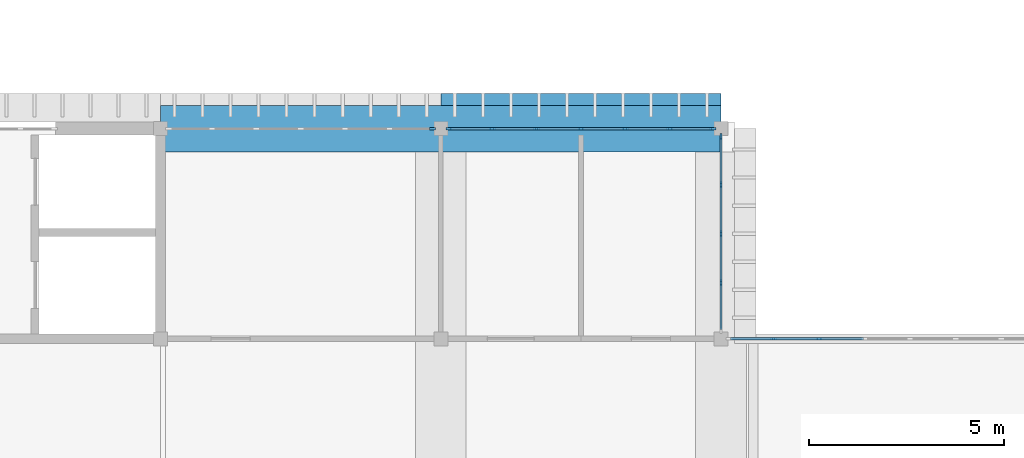
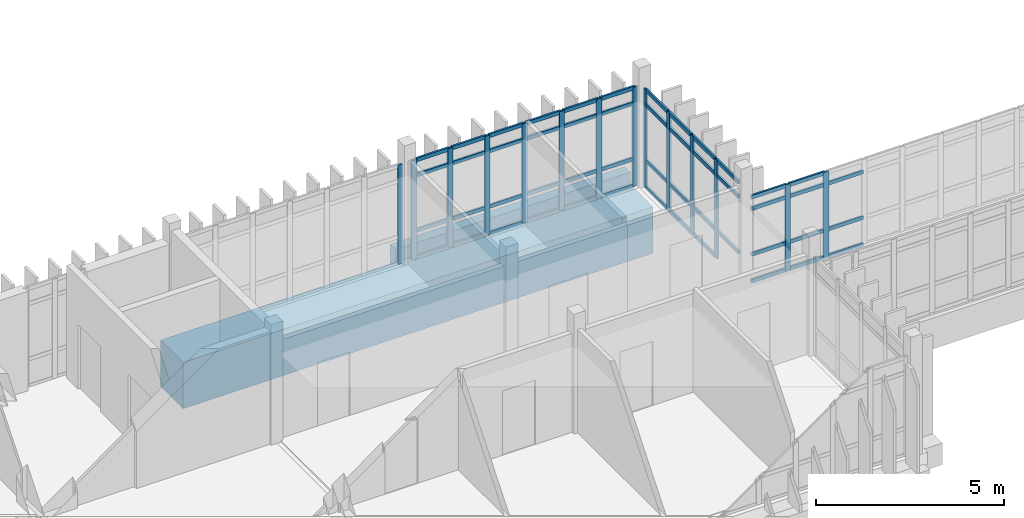
# One storey, part 14 of 69: 65 members, 1 beam, 4 elements without a shape of their own.
"""IFC4 building model written with IfcOpenShell, lengths in metres."""

from ifc_helpers import new_model, si_unit, direction, frame, origin, origin_2d, place, context, subcontext, project, spatial, rectangle, extrude, material, layer, layer_set, material_profile, profile_set, type_object, element, aggregate, save


model = new_model("IFC4")

# Units and contexts
model_context = context("Model", 3, precision=1e-05, world=origin(), true_north=direction((0.0, 1.0)))
body_context = subcontext(model_context, "Body", "Model", "MODEL_VIEW")
ifc_project = project(units=[si_unit("LENGTHUNIT", "METRE"), si_unit("AREAUNIT", "SQUARE_METRE"), si_unit("VOLUMEUNIT", "CUBIC_METRE"), si_unit("PLANEANGLEUNIT", "RADIAN"), si_unit("MASSUNIT", "GRAM", prefix="KILO")], contexts=[model_context])

# Site, building, storey
site_placement = place(None, origin())
site = spatial("IfcSite", under=ifc_project, at=site_placement, CompositionType="ELEMENT")
building_placement = place(site_placement, origin())
building = spatial("IfcBuilding", under=site, at=building_placement, Name="Mazhai Court Health Centre", CompositionType="ELEMENT")
storey_placement = place(building_placement, frame((0.0, 0.0, 6.300048828125)))
storey = spatial("IfcBuildingStorey", under=building, at=storey_placement, Name="L01", CompositionType="ELEMENT", Elevation=6.300048828125)

# Curtain wall, member
ifc_material_1 = material(Name="Teak timber frame, glazed", Category="wood")
ifc_layer = layer(ifc_material_1, 0.10009765625)
ifc_layer_set = layer_set([ifc_layer], Name="CURTAIN WALL TIMBER 1200")
curtain_wall_type = type_object("IfcCurtainWallType", Name="CURTAIN WALL TIMBER 1200", PredefinedType="NOTDEFINED", material=ifc_layer_set)
curtain_wall_1_placement = place(storey_placement, origin())
curtain_wall_1 = element("IfcCurtainWall", 1, at=curtain_wall_1_placement, inside=storey, type_object=curtain_wall_type, Name="CW-V4-L01-B1", PredefinedType="NOTDEFINED")
ifc_material_2 = material(Name="Teak timber", Category="wood")
ifc_material_profile_1 = material_profile(ifc_material_2, rectangle(XDim=0.06005859375, YDim=0.159912109375, at=origin_2d()), Name="CW MULLION 60x160")
ifc_profile_set_1 = profile_set([ifc_material_profile_1], Name="Teak timber")
member_type_1 = type_object("IfcMemberType", Name="CW MULLION 60x160", PredefinedType="MULLION", material=ifc_profile_set_1)
member_1_placement = place(storey_placement, frame((85.18994140625, 27.800048828125, 0.0), z_axis=(0.0, 0.0, 1.0), x_axis=(0.0, 1.0, 0.0)))
member_1 = element("IfcMember", 2, at=member_1_placement, type_object=member_type_1, Name="CW mullion 7", PredefinedType="MULLION", context=body_context, shape_type="SweptSolid", body=[
    extrude(rectangle(XDim=0.06005859375, YDim=0.159912109375, at=origin_2d()), origin(), (0.0, 0.0, 1.0), 3.219970703125),
])
aggregate(curtain_wall_1, [member_1])

# Curtain wall, members
curtain_wall_2_placement = place(storey_placement, origin())
curtain_wall_2 = element("IfcCurtainWall", 3, at=curtain_wall_2_placement, inside=storey, type_object=curtain_wall_type, Name="CW-V4-L01-B2", PredefinedType="NOTDEFINED")
member_2_placement = place(storey_placement, frame((85.610107421875, 27.800048828125, 0.0), z_axis=(0.0, 0.0, 1.0), x_axis=(0.0, 1.0, 0.0)))
member_2 = element("IfcMember", 4, at=member_2_placement, type_object=member_type_1, Name="CW mullion 1", PredefinedType="MULLION", context=body_context, shape_type="SweptSolid", body=[
    extrude(rectangle(XDim=0.06005859375, YDim=0.159912109375, at=origin_2d()), origin(), (0.0, 0.0, 1.0), 3.219970703125),
])
member_3_placement = place(storey_placement, frame((86.719970703125, 27.800048828125, 0.0), z_axis=(0.0, 0.0, 1.0), x_axis=(0.0, 1.0, 0.0)))
member_3 = element("IfcMember", 5, at=member_3_placement, type_object=member_type_1, Name="CW mullion 2", PredefinedType="MULLION", context=body_context, shape_type="SweptSolid", body=[
    extrude(rectangle(XDim=0.06005859375, YDim=0.159912109375, at=origin_2d()), origin(), (0.0, 0.0, 1.0), 3.219970703125),
])
member_4_placement = place(storey_placement, frame((87.860107421875, 27.800048828125, 0.0), z_axis=(0.0, 0.0, 1.0), x_axis=(0.0, 1.0, 0.0)))
member_4 = element("IfcMember", 6, at=member_4_placement, type_object=member_type_1, Name="CW mullion 3", PredefinedType="MULLION", context=body_context, shape_type="SweptSolid", body=[
    extrude(rectangle(XDim=0.06005859375, YDim=0.159912109375, at=origin_2d()), origin(), (0.0, 0.0, 1.0), 3.219970703125),
])
member_5_placement = place(storey_placement, frame((89.0, 27.800048828125, 0.0), z_axis=(0.0, 0.0, 1.0), x_axis=(0.0, 1.0, 0.0)))
member_5 = element("IfcMember", 7, at=member_5_placement, type_object=member_type_1, Name="CW mullion 4", PredefinedType="MULLION", context=body_context, shape_type="SweptSolid", body=[
    extrude(rectangle(XDim=0.06005859375, YDim=0.159912109375, at=origin_2d()), origin(), (0.0, 0.0, 1.0), 3.219970703125),
])
member_6_placement = place(storey_placement, frame((90.139892578125, 27.800048828125, 0.0), z_axis=(0.0, 0.0, 1.0), x_axis=(0.0, 1.0, 0.0)))
member_6 = element("IfcMember", 8, at=member_6_placement, type_object=member_type_1, Name="CW mullion 5", PredefinedType="MULLION", context=body_context, shape_type="SweptSolid", body=[
    extrude(rectangle(XDim=0.06005859375, YDim=0.159912109375, at=origin_2d()), origin(), (0.0, 0.0, 1.0), 3.219970703125),
])
member_7_placement = place(storey_placement, frame((91.280029296875, 27.800048828125, 0.0), z_axis=(0.0, 0.0, 1.0), x_axis=(0.0, 1.0, 0.0)))
member_7 = element("IfcMember", 9, at=member_7_placement, type_object=member_type_1, Name="CW mullion 6", PredefinedType="MULLION", context=body_context, shape_type="SweptSolid", body=[
    extrude(rectangle(XDim=0.06005859375, YDim=0.159912109375, at=origin_2d()), origin(), (0.0, 0.0, 1.0), 3.219970703125),
])
member_8_placement = place(storey_placement, frame((92.389892578125, 27.800048828125, 0.0), z_axis=(0.0, 0.0, 1.0), x_axis=(0.0, 1.0, 0.0)))
member_8 = element("IfcMember", 10, at=member_8_placement, type_object=member_type_1, Name="CW mullion 7", PredefinedType="MULLION", context=body_context, shape_type="SweptSolid", body=[
    extrude(rectangle(XDim=0.06005859375, YDim=0.159912109375, at=origin_2d()), origin(), (0.0, 0.0, 1.0), 3.219970703125),
])

curtain_wall_3_placement = place(storey_placement, origin())
curtain_wall_3 = element("IfcCurtainWall", 11, at=curtain_wall_3_placement, inside=storey, type_object=curtain_wall_type, Name="CW-V4-L01-CE2-1", PredefinedType="NOTDEFINED")
member_9_placement = place(storey_placement, frame((92.60009765625, 27.590087890625, 0.0), z_axis=(0.0, 0.0, 1.0), x_axis=(1.0, 0.0, 0.0)))
member_9 = element("IfcMember", 12, at=member_9_placement, type_object=member_type_1, Name="CW mullion 1", PredefinedType="MULLION", context=body_context, shape_type="SweptSolid", body=[
    extrude(rectangle(XDim=0.06005859375, YDim=0.159912109375, at=origin_2d()), origin(), (0.0, 0.0, 1.0), 3.199951171875),
])
member_10_placement = place(storey_placement, frame((92.60009765625, 26.360107421875, 0.0), z_axis=(0.0, 0.0, 1.0), x_axis=(1.0, 0.0, 0.0)))
member_10 = element("IfcMember", 13, at=member_10_placement, type_object=member_type_1, Name="CW mullion 2", PredefinedType="MULLION", context=body_context, shape_type="SweptSolid", body=[
    extrude(rectangle(XDim=0.06005859375, YDim=0.159912109375, at=origin_2d()), origin(), (0.0, 0.0, 1.0), 3.199951171875),
])
member_11_placement = place(storey_placement, frame((92.60009765625, 25.10009765625, 0.0), z_axis=(0.0, 0.0, 1.0), x_axis=(1.0, 0.0, 0.0)))
member_11 = element("IfcMember", 14, at=member_11_placement, type_object=member_type_1, Name="CW mullion 3", PredefinedType="MULLION", context=body_context, shape_type="SweptSolid", body=[
    extrude(rectangle(XDim=0.06005859375, YDim=0.159912109375, at=origin_2d()), origin(), (0.0, 0.0, 1.0), 3.199951171875),
])
member_12_placement = place(storey_placement, frame((92.60009765625, 23.840087890625, 0.0), z_axis=(0.0, 0.0, 1.0), x_axis=(1.0, 0.0, 0.0)))
member_12 = element("IfcMember", 15, at=member_12_placement, type_object=member_type_1, Name="CW mullion 4", PredefinedType="MULLION", context=body_context, shape_type="SweptSolid", body=[
    extrude(rectangle(XDim=0.06005859375, YDim=0.159912109375, at=origin_2d()), origin(), (0.0, 0.0, 1.0), 3.199951171875),
])

curtain_wall_4_placement = place(storey_placement, origin())
curtain_wall_4 = element("IfcCurtainWall", 16, at=curtain_wall_4_placement, inside=storey, type_object=curtain_wall_type, Name="CW-BR-LC1-N", PredefinedType="NOTDEFINED")
member_13_placement = place(storey_placement, frame((93.949951171875, 22.39990234375, 0.0), z_axis=(0.0, 0.0, 1.0), x_axis=(0.0, 1.0, 0.0)))
member_13 = element("IfcMember", 17, at=member_13_placement, type_object=member_type_1, Name="CW mullion 2", PredefinedType="MULLION", context=body_context, shape_type="SweptSolid", body=[
    extrude(rectangle(XDim=0.06005859375, YDim=0.159912109375, at=origin_2d()), origin(), (0.0, 0.0, 1.0), 2.780029296875),
])
member_14_placement = place(storey_placement, frame((95.1201171875, 22.39990234375, 0.0), z_axis=(0.0, 0.0, 1.0), x_axis=(0.0, 1.0, 0.0)))
member_14 = element("IfcMember", 18, at=member_14_placement, type_object=member_type_1, Name="CW mullion 3", PredefinedType="MULLION", context=body_context, shape_type="SweptSolid", body=[
    extrude(rectangle(XDim=0.06005859375, YDim=0.159912109375, at=origin_2d()), origin(), (0.0, 0.0, 1.0), 2.780029296875),
])

# Member
ifc_material_3 = material(Name="Teak timber", Category="wood")
ifc_material_profile_2 = material_profile(ifc_material_3, rectangle(XDim=0.06005859375, YDim=0.1201171875, at=origin_2d()), Name="CW TRANSOM 60x120")
ifc_profile_set_2 = profile_set([ifc_material_profile_2], Name="Teak timber")
member_type_2 = type_object("IfcMemberType", Name="CW TRANSOM 60x120", PredefinedType="USERDEFINED", material=ifc_profile_set_2)
member_15_placement = place(storey_placement, frame((85.639892578125, 27.800048828125, 0.030029296875), z_axis=(1.0, 0.0, 0.0), x_axis=(0.0, 1.0, 0.0)))
member_15 = element("IfcMember", 19, at=member_15_placement, type_object=member_type_2, Name="CW transom 1.1", ObjectType="TRANSOM", PredefinedType="USERDEFINED", context=body_context, shape_type="SweptSolid", body=[
    extrude(rectangle(XDim=0.06005859375, YDim=0.1201171875, at=origin_2d()), origin(), (0.0, 0.0, 1.0), 1.050048828125),
])

member_16_placement = place(storey_placement, frame((85.639892578125, 27.800048828125, 0.89990234375), z_axis=(1.0, 0.0, 0.0), x_axis=(0.0, 1.0, 0.0)))
member_16 = element("IfcMember", 20, at=member_16_placement, type_object=member_type_2, Name="CW transom 1.2", ObjectType="TRANSOM", PredefinedType="USERDEFINED", context=body_context, shape_type="SweptSolid", body=[
    extrude(rectangle(XDim=0.06005859375, YDim=0.1201171875, at=origin_2d()), origin(), (0.0, 0.0, 1.0), 1.050048828125),
])

member_17_placement = place(storey_placement, frame((85.639892578125, 27.800048828125, 2.699951171875), z_axis=(1.0, 0.0, 0.0), x_axis=(0.0, 1.0, 0.0)))
member_17 = element("IfcMember", 21, at=member_17_placement, type_object=member_type_2, Name="CW transom 1.3", ObjectType="TRANSOM", PredefinedType="USERDEFINED", context=body_context, shape_type="SweptSolid", body=[
    extrude(rectangle(XDim=0.06005859375, YDim=0.1201171875, at=origin_2d()), origin(), (0.0, 0.0, 1.0), 1.050048828125),
])

member_18_placement = place(storey_placement, frame((85.639892578125, 27.800048828125, 3.18994140625), z_axis=(1.0, 0.0, 0.0), x_axis=(0.0, 1.0, 0.0)))
member_18 = element("IfcMember", 22, at=member_18_placement, type_object=member_type_2, Name="CW transom 1.4", ObjectType="TRANSOM", PredefinedType="USERDEFINED", context=body_context, shape_type="SweptSolid", body=[
    extrude(rectangle(XDim=0.06005859375, YDim=0.1201171875, at=origin_2d()), origin(), (0.0, 0.0, 1.0), 1.050048828125),
])

member_19_placement = place(storey_placement, frame((86.75, 27.800048828125, 0.030029296875), z_axis=(1.0, 0.0, 0.0), x_axis=(0.0, 1.0, 0.0)))
member_19 = element("IfcMember", 23, at=member_19_placement, type_object=member_type_2, Name="CW transom 2.1", ObjectType="TRANSOM", PredefinedType="USERDEFINED", context=body_context, shape_type="SweptSolid", body=[
    extrude(rectangle(XDim=0.06005859375, YDim=0.1201171875, at=origin_2d()), origin(), (0.0, 0.0, 1.0), 1.080078125),
])

member_20_placement = place(storey_placement, frame((86.75, 27.800048828125, 0.89990234375), z_axis=(1.0, 0.0, 0.0), x_axis=(0.0, 1.0, 0.0)))
member_20 = element("IfcMember", 24, at=member_20_placement, type_object=member_type_2, Name="CW transom 2.2", ObjectType="TRANSOM", PredefinedType="USERDEFINED", context=body_context, shape_type="SweptSolid", body=[
    extrude(rectangle(XDim=0.06005859375, YDim=0.1201171875, at=origin_2d()), origin(), (0.0, 0.0, 1.0), 1.080078125),
])

member_21_placement = place(storey_placement, frame((86.75, 27.800048828125, 2.699951171875), z_axis=(1.0, 0.0, 0.0), x_axis=(0.0, 1.0, 0.0)))
member_21 = element("IfcMember", 25, at=member_21_placement, type_object=member_type_2, Name="CW transom 2.3", ObjectType="TRANSOM", PredefinedType="USERDEFINED", context=body_context, shape_type="SweptSolid", body=[
    extrude(rectangle(XDim=0.06005859375, YDim=0.1201171875, at=origin_2d()), origin(), (0.0, 0.0, 1.0), 1.080078125),
])

member_22_placement = place(storey_placement, frame((86.75, 27.800048828125, 3.18994140625), z_axis=(1.0, 0.0, 0.0), x_axis=(0.0, 1.0, 0.0)))
member_22 = element("IfcMember", 26, at=member_22_placement, type_object=member_type_2, Name="CW transom 2.4", ObjectType="TRANSOM", PredefinedType="USERDEFINED", context=body_context, shape_type="SweptSolid", body=[
    extrude(rectangle(XDim=0.06005859375, YDim=0.1201171875, at=origin_2d()), origin(), (0.0, 0.0, 1.0), 1.080078125),
])

member_23_placement = place(storey_placement, frame((87.889892578125, 27.800048828125, 0.030029296875), z_axis=(1.0, 0.0, 0.0), x_axis=(0.0, 1.0, 0.0)))
member_23 = element("IfcMember", 27, at=member_23_placement, type_object=member_type_2, Name="CW transom 3.1", ObjectType="TRANSOM", PredefinedType="USERDEFINED", context=body_context, shape_type="SweptSolid", body=[
    extrude(rectangle(XDim=0.06005859375, YDim=0.1201171875, at=origin_2d()), origin(), (0.0, 0.0, 1.0), 1.080078125),
])

member_24_placement = place(storey_placement, frame((87.889892578125, 27.800048828125, 0.89990234375), z_axis=(1.0, 0.0, 0.0), x_axis=(0.0, 1.0, 0.0)))
member_24 = element("IfcMember", 28, at=member_24_placement, type_object=member_type_2, Name="CW transom 3.2", ObjectType="TRANSOM", PredefinedType="USERDEFINED", context=body_context, shape_type="SweptSolid", body=[
    extrude(rectangle(XDim=0.06005859375, YDim=0.1201171875, at=origin_2d()), origin(), (0.0, 0.0, 1.0), 1.080078125),
])

member_25_placement = place(storey_placement, frame((87.889892578125, 27.800048828125, 2.699951171875), z_axis=(1.0, 0.0, 0.0), x_axis=(0.0, 1.0, 0.0)))
member_25 = element("IfcMember", 29, at=member_25_placement, type_object=member_type_2, Name="CW transom 3.3", ObjectType="TRANSOM", PredefinedType="USERDEFINED", context=body_context, shape_type="SweptSolid", body=[
    extrude(rectangle(XDim=0.06005859375, YDim=0.1201171875, at=origin_2d()), origin(), (0.0, 0.0, 1.0), 1.080078125),
])

member_26_placement = place(storey_placement, frame((87.889892578125, 27.800048828125, 3.18994140625), z_axis=(1.0, 0.0, 0.0), x_axis=(0.0, 1.0, 0.0)))
member_26 = element("IfcMember", 30, at=member_26_placement, type_object=member_type_2, Name="CW transom 3.4", ObjectType="TRANSOM", PredefinedType="USERDEFINED", context=body_context, shape_type="SweptSolid", body=[
    extrude(rectangle(XDim=0.06005859375, YDim=0.1201171875, at=origin_2d()), origin(), (0.0, 0.0, 1.0), 1.080078125),
])

member_27_placement = place(storey_placement, frame((89.030029296875, 27.800048828125, 0.030029296875), z_axis=(1.0, 0.0, 0.0), x_axis=(0.0, 1.0, 0.0)))
member_27 = element("IfcMember", 31, at=member_27_placement, type_object=member_type_2, Name="CW transom 4.1", ObjectType="TRANSOM", PredefinedType="USERDEFINED", context=body_context, shape_type="SweptSolid", body=[
    extrude(rectangle(XDim=0.06005859375, YDim=0.1201171875, at=origin_2d()), origin(), (0.0, 0.0, 1.0), 1.080078125),
])

member_28_placement = place(storey_placement, frame((89.030029296875, 27.800048828125, 0.89990234375), z_axis=(1.0, 0.0, 0.0), x_axis=(0.0, 1.0, 0.0)))
member_28 = element("IfcMember", 32, at=member_28_placement, type_object=member_type_2, Name="CW transom 4.2", ObjectType="TRANSOM", PredefinedType="USERDEFINED", context=body_context, shape_type="SweptSolid", body=[
    extrude(rectangle(XDim=0.06005859375, YDim=0.1201171875, at=origin_2d()), origin(), (0.0, 0.0, 1.0), 1.080078125),
])

member_29_placement = place(storey_placement, frame((89.030029296875, 27.800048828125, 2.699951171875), z_axis=(1.0, 0.0, 0.0), x_axis=(0.0, 1.0, 0.0)))
member_29 = element("IfcMember", 33, at=member_29_placement, type_object=member_type_2, Name="CW transom 4.3", ObjectType="TRANSOM", PredefinedType="USERDEFINED", context=body_context, shape_type="SweptSolid", body=[
    extrude(rectangle(XDim=0.06005859375, YDim=0.1201171875, at=origin_2d()), origin(), (0.0, 0.0, 1.0), 1.080078125),
])

member_30_placement = place(storey_placement, frame((89.030029296875, 27.800048828125, 3.18994140625), z_axis=(1.0, 0.0, 0.0), x_axis=(0.0, 1.0, 0.0)))
member_30 = element("IfcMember", 34, at=member_30_placement, type_object=member_type_2, Name="CW transom 4.4", ObjectType="TRANSOM", PredefinedType="USERDEFINED", context=body_context, shape_type="SweptSolid", body=[
    extrude(rectangle(XDim=0.06005859375, YDim=0.1201171875, at=origin_2d()), origin(), (0.0, 0.0, 1.0), 1.080078125),
])

member_31_placement = place(storey_placement, frame((90.169921875, 27.800048828125, 0.030029296875), z_axis=(1.0, 0.0, 0.0), x_axis=(0.0, 1.0, 0.0)))
member_31 = element("IfcMember", 35, at=member_31_placement, type_object=member_type_2, Name="CW transom 5.1", ObjectType="TRANSOM", PredefinedType="USERDEFINED", context=body_context, shape_type="SweptSolid", body=[
    extrude(rectangle(XDim=0.06005859375, YDim=0.1201171875, at=origin_2d()), origin(), (0.0, 0.0, 1.0), 1.080078125),
])

member_32_placement = place(storey_placement, frame((90.169921875, 27.800048828125, 0.89990234375), z_axis=(1.0, 0.0, 0.0), x_axis=(0.0, 1.0, 0.0)))
member_32 = element("IfcMember", 36, at=member_32_placement, type_object=member_type_2, Name="CW transom 5.2", ObjectType="TRANSOM", PredefinedType="USERDEFINED", context=body_context, shape_type="SweptSolid", body=[
    extrude(rectangle(XDim=0.06005859375, YDim=0.1201171875, at=origin_2d()), origin(), (0.0, 0.0, 1.0), 1.080078125),
])

member_33_placement = place(storey_placement, frame((90.169921875, 27.800048828125, 2.699951171875), z_axis=(1.0, 0.0, 0.0), x_axis=(0.0, 1.0, 0.0)))
member_33 = element("IfcMember", 37, at=member_33_placement, type_object=member_type_2, Name="CW transom 5.3", ObjectType="TRANSOM", PredefinedType="USERDEFINED", context=body_context, shape_type="SweptSolid", body=[
    extrude(rectangle(XDim=0.06005859375, YDim=0.1201171875, at=origin_2d()), origin(), (0.0, 0.0, 1.0), 1.080078125),
])

member_34_placement = place(storey_placement, frame((90.169921875, 27.800048828125, 3.18994140625), z_axis=(1.0, 0.0, 0.0), x_axis=(0.0, 1.0, 0.0)))
member_34 = element("IfcMember", 38, at=member_34_placement, type_object=member_type_2, Name="CW transom 5.4", ObjectType="TRANSOM", PredefinedType="USERDEFINED", context=body_context, shape_type="SweptSolid", body=[
    extrude(rectangle(XDim=0.06005859375, YDim=0.1201171875, at=origin_2d()), origin(), (0.0, 0.0, 1.0), 1.080078125),
])

member_35_placement = place(storey_placement, frame((91.31005859375, 27.800048828125, 0.030029296875), z_axis=(1.0, 0.0, 0.0), x_axis=(0.0, 1.0, 0.0)))
member_35 = element("IfcMember", 39, at=member_35_placement, type_object=member_type_2, Name="CW transom 6.1", ObjectType="TRANSOM", PredefinedType="USERDEFINED", context=body_context, shape_type="SweptSolid", body=[
    extrude(rectangle(XDim=0.06005859375, YDim=0.1201171875, at=origin_2d()), origin(), (0.0, 0.0, 1.0), 1.050048828125),
])

member_36_placement = place(storey_placement, frame((91.31005859375, 27.800048828125, 0.89990234375), z_axis=(1.0, 0.0, 0.0), x_axis=(0.0, 1.0, 0.0)))
member_36 = element("IfcMember", 40, at=member_36_placement, type_object=member_type_2, Name="CW transom 6.2", ObjectType="TRANSOM", PredefinedType="USERDEFINED", context=body_context, shape_type="SweptSolid", body=[
    extrude(rectangle(XDim=0.06005859375, YDim=0.1201171875, at=origin_2d()), origin(), (0.0, 0.0, 1.0), 1.050048828125),
])

member_37_placement = place(storey_placement, frame((91.31005859375, 27.800048828125, 2.699951171875), z_axis=(1.0, 0.0, 0.0), x_axis=(0.0, 1.0, 0.0)))
member_37 = element("IfcMember", 41, at=member_37_placement, type_object=member_type_2, Name="CW transom 6.3", ObjectType="TRANSOM", PredefinedType="USERDEFINED", context=body_context, shape_type="SweptSolid", body=[
    extrude(rectangle(XDim=0.06005859375, YDim=0.1201171875, at=origin_2d()), origin(), (0.0, 0.0, 1.0), 1.050048828125),
])

member_38_placement = place(storey_placement, frame((91.31005859375, 27.800048828125, 3.18994140625), z_axis=(1.0, 0.0, 0.0), x_axis=(0.0, 1.0, 0.0)))
member_38 = element("IfcMember", 42, at=member_38_placement, type_object=member_type_2, Name="CW transom 6.4", ObjectType="TRANSOM", PredefinedType="USERDEFINED", context=body_context, shape_type="SweptSolid", body=[
    extrude(rectangle(XDim=0.06005859375, YDim=0.1201171875, at=origin_2d()), origin(), (0.0, 0.0, 1.0), 1.050048828125),
])

aggregate(curtain_wall_2, [member_2, member_3, member_4, member_5, member_6, member_7, member_8, member_15, member_16, member_17, member_18, member_19, member_20, member_21, member_22, member_23, member_24, member_25, member_26, member_27, member_28, member_29, member_30, member_31, member_32, member_33, member_34, member_35, member_36, member_37, member_38])

member_39_placement = place(storey_placement, frame((92.60009765625, 27.56005859375, 0.030029296875), z_axis=(0.0, -1.0, 0.0), x_axis=(1.0, 0.0, 0.0)))
member_39 = element("IfcMember", 43, at=member_39_placement, type_object=member_type_2, Name="CW transom 1.1", ObjectType="TRANSOM", PredefinedType="USERDEFINED", context=body_context, shape_type="SweptSolid", body=[
    extrude(rectangle(XDim=0.06005859375, YDim=0.1201171875, at=origin_2d()), origin(), (0.0, 0.0, 1.0), 1.170166015625),
])

member_40_placement = place(storey_placement, frame((92.60009765625, 27.56005859375, 0.89990234375), z_axis=(0.0, -1.0, 0.0), x_axis=(1.0, 0.0, 0.0)))
member_40 = element("IfcMember", 44, at=member_40_placement, type_object=member_type_2, Name="CW transom 1.2", ObjectType="TRANSOM", PredefinedType="USERDEFINED", context=body_context, shape_type="SweptSolid", body=[
    extrude(rectangle(XDim=0.06005859375, YDim=0.1201171875, at=origin_2d()), origin(), (0.0, 0.0, 1.0), 1.170166015625),
])

member_41_placement = place(storey_placement, frame((92.60009765625, 27.56005859375, 2.699951171875), z_axis=(0.0, -1.0, 0.0), x_axis=(1.0, 0.0, 0.0)))
member_41 = element("IfcMember", 45, at=member_41_placement, type_object=member_type_2, Name="CW transom 1.3", ObjectType="TRANSOM", PredefinedType="USERDEFINED", context=body_context, shape_type="SweptSolid", body=[
    extrude(rectangle(XDim=0.06005859375, YDim=0.1201171875, at=origin_2d()), origin(), (0.0, 0.0, 1.0), 1.170166015625),
])

member_42_placement = place(storey_placement, frame((92.60009765625, 27.56005859375, 3.169921875), z_axis=(0.0, -1.0, 0.0), x_axis=(1.0, 0.0, 0.0)))
member_42 = element("IfcMember", 46, at=member_42_placement, type_object=member_type_2, Name="CW transom 1.4", ObjectType="TRANSOM", PredefinedType="USERDEFINED", context=body_context, shape_type="SweptSolid", body=[
    extrude(rectangle(XDim=0.06005859375, YDim=0.1201171875, at=origin_2d()), origin(), (0.0, 0.0, 1.0), 1.170166015625),
])

member_43_placement = place(storey_placement, frame((92.60009765625, 26.330078125, 0.030029296875), z_axis=(0.0, -1.0, 0.0), x_axis=(1.0, 0.0, 0.0)))
member_43 = element("IfcMember", 47, at=member_43_placement, type_object=member_type_2, Name="CW transom 2.1", ObjectType="TRANSOM", PredefinedType="USERDEFINED", context=body_context, shape_type="SweptSolid", body=[
    extrude(rectangle(XDim=0.06005859375, YDim=0.1201171875, at=origin_2d()), origin(), (0.0, 0.0, 1.0), 1.2001953125),
])

member_44_placement = place(storey_placement, frame((92.60009765625, 26.330078125, 0.89990234375), z_axis=(0.0, -1.0, 0.0), x_axis=(1.0, 0.0, 0.0)))
member_44 = element("IfcMember", 48, at=member_44_placement, type_object=member_type_2, Name="CW transom 2.2", ObjectType="TRANSOM", PredefinedType="USERDEFINED", context=body_context, shape_type="SweptSolid", body=[
    extrude(rectangle(XDim=0.06005859375, YDim=0.1201171875, at=origin_2d()), origin(), (0.0, 0.0, 1.0), 1.2001953125),
])

member_45_placement = place(storey_placement, frame((92.60009765625, 26.330078125, 2.699951171875), z_axis=(0.0, -1.0, 0.0), x_axis=(1.0, 0.0, 0.0)))
member_45 = element("IfcMember", 49, at=member_45_placement, type_object=member_type_2, Name="CW transom 2.3", ObjectType="TRANSOM", PredefinedType="USERDEFINED", context=body_context, shape_type="SweptSolid", body=[
    extrude(rectangle(XDim=0.06005859375, YDim=0.1201171875, at=origin_2d()), origin(), (0.0, 0.0, 1.0), 1.2001953125),
])

member_46_placement = place(storey_placement, frame((92.60009765625, 26.330078125, 3.169921875), z_axis=(0.0, -1.0, 0.0), x_axis=(1.0, 0.0, 0.0)))
member_46 = element("IfcMember", 50, at=member_46_placement, type_object=member_type_2, Name="CW transom 2.4", ObjectType="TRANSOM", PredefinedType="USERDEFINED", context=body_context, shape_type="SweptSolid", body=[
    extrude(rectangle(XDim=0.06005859375, YDim=0.1201171875, at=origin_2d()), origin(), (0.0, 0.0, 1.0), 1.2001953125),
])

member_47_placement = place(storey_placement, frame((92.60009765625, 25.070068359375, 0.030029296875), z_axis=(0.0, -1.0, 0.0), x_axis=(1.0, 0.0, 0.0)))
member_47 = element("IfcMember", 51, at=member_47_placement, type_object=member_type_2, Name="CW transom 3.1", ObjectType="TRANSOM", PredefinedType="USERDEFINED", context=body_context, shape_type="SweptSolid", body=[
    extrude(rectangle(XDim=0.06005859375, YDim=0.1201171875, at=origin_2d()), origin(), (0.0, 0.0, 1.0), 1.199951171875),
])

member_48_placement = place(storey_placement, frame((92.60009765625, 25.070068359375, 0.89990234375), z_axis=(0.0, -1.0, 0.0), x_axis=(1.0, 0.0, 0.0)))
member_48 = element("IfcMember", 52, at=member_48_placement, type_object=member_type_2, Name="CW transom 3.2", ObjectType="TRANSOM", PredefinedType="USERDEFINED", context=body_context, shape_type="SweptSolid", body=[
    extrude(rectangle(XDim=0.06005859375, YDim=0.1201171875, at=origin_2d()), origin(), (0.0, 0.0, 1.0), 1.199951171875),
])

member_49_placement = place(storey_placement, frame((92.60009765625, 25.070068359375, 2.699951171875), z_axis=(0.0, -1.0, 0.0), x_axis=(1.0, 0.0, 0.0)))
member_49 = element("IfcMember", 53, at=member_49_placement, type_object=member_type_2, Name="CW transom 3.3", ObjectType="TRANSOM", PredefinedType="USERDEFINED", context=body_context, shape_type="SweptSolid", body=[
    extrude(rectangle(XDim=0.06005859375, YDim=0.1201171875, at=origin_2d()), origin(), (0.0, 0.0, 1.0), 1.199951171875),
])

member_50_placement = place(storey_placement, frame((92.60009765625, 25.070068359375, 3.169921875), z_axis=(0.0, -1.0, 0.0), x_axis=(1.0, 0.0, 0.0)))
member_50 = element("IfcMember", 54, at=member_50_placement, type_object=member_type_2, Name="CW transom 3.4", ObjectType="TRANSOM", PredefinedType="USERDEFINED", context=body_context, shape_type="SweptSolid", body=[
    extrude(rectangle(XDim=0.06005859375, YDim=0.1201171875, at=origin_2d()), origin(), (0.0, 0.0, 1.0), 1.199951171875),
])

member_51_placement = place(storey_placement, frame((92.60009765625, 23.81005859375, 0.89990234375), z_axis=(0.0, -1.0, 0.0), x_axis=(1.0, 0.0, 0.0)))
member_51 = element("IfcMember", 55, at=member_51_placement, type_object=member_type_2, Name="CW transom 4.2", ObjectType="TRANSOM", PredefinedType="USERDEFINED", context=body_context, shape_type="SweptSolid", body=[
    extrude(rectangle(XDim=0.06005859375, YDim=0.1201171875, at=origin_2d()), origin(), (0.0, 0.0, 1.0), 1.170166015625),
])

member_52_placement = place(storey_placement, frame((92.60009765625, 23.81005859375, 2.699951171875), z_axis=(0.0, -1.0, 0.0), x_axis=(1.0, 0.0, 0.0)))
member_52 = element("IfcMember", 56, at=member_52_placement, type_object=member_type_2, Name="CW transom 4.3", ObjectType="TRANSOM", PredefinedType="USERDEFINED", context=body_context, shape_type="SweptSolid", body=[
    extrude(rectangle(XDim=0.06005859375, YDim=0.1201171875, at=origin_2d()), origin(), (0.0, 0.0, 1.0), 1.170166015625),
])

member_53_placement = place(storey_placement, frame((92.60009765625, 23.81005859375, 3.169921875), z_axis=(0.0, -1.0, 0.0), x_axis=(1.0, 0.0, 0.0)))
member_53 = element("IfcMember", 57, at=member_53_placement, type_object=member_type_2, Name="CW transom 4.4", ObjectType="TRANSOM", PredefinedType="USERDEFINED", context=body_context, shape_type="SweptSolid", body=[
    extrude(rectangle(XDim=0.06005859375, YDim=0.1201171875, at=origin_2d()), origin(), (0.0, 0.0, 1.0), 1.170166015625),
])

aggregate(curtain_wall_3, [member_9, member_10, member_11, member_12, member_39, member_40, member_41, member_42, member_43, member_44, member_45, member_46, member_47, member_48, member_49, member_50, member_51, member_52, member_53])

member_54_placement = place(storey_placement, frame((92.840087890625, 22.39990234375, 0.030029296875), z_axis=(1.0, 0.0, 0.0), x_axis=(0.0, 1.0, 0.0)))
member_54 = element("IfcMember", 58, at=member_54_placement, type_object=member_type_2, Name="CW transom 1.1", ObjectType="TRANSOM", PredefinedType="USERDEFINED", context=body_context, shape_type="SweptSolid", body=[
    extrude(rectangle(XDim=0.06005859375, YDim=0.1201171875, at=origin_2d()), origin(), (0.0, 0.0, 1.0), 1.079833984375),
])

member_55_placement = place(storey_placement, frame((92.840087890625, 22.39990234375, 0.89990234375), z_axis=(1.0, 0.0, 0.0), x_axis=(0.0, 1.0, 0.0)))
member_55 = element("IfcMember", 59, at=member_55_placement, type_object=member_type_2, Name="CW transom 1.2", ObjectType="TRANSOM", PredefinedType="USERDEFINED", context=body_context, shape_type="SweptSolid", body=[
    extrude(rectangle(XDim=0.06005859375, YDim=0.1201171875, at=origin_2d()), origin(), (0.0, 0.0, 1.0), 1.079833984375),
])

member_56_placement = place(storey_placement, frame((92.840087890625, 22.39990234375, 2.3798828125), z_axis=(1.0, 0.0, 0.0), x_axis=(0.0, 1.0, 0.0)))
member_56 = element("IfcMember", 60, at=member_56_placement, type_object=member_type_2, Name="CW transom 1.3", ObjectType="TRANSOM", PredefinedType="USERDEFINED", context=body_context, shape_type="SweptSolid", body=[
    extrude(rectangle(XDim=0.06005859375, YDim=0.1201171875, at=origin_2d()), origin(), (0.0, 0.0, 1.0), 1.079833984375),
])

member_57_placement = place(storey_placement, frame((92.840087890625, 22.39990234375, 2.75), z_axis=(1.0, 0.0, 0.0), x_axis=(0.0, 1.0, 0.0)))
member_57 = element("IfcMember", 61, at=member_57_placement, type_object=member_type_2, Name="CW transom 1.4", ObjectType="TRANSOM", PredefinedType="USERDEFINED", context=body_context, shape_type="SweptSolid", body=[
    extrude(rectangle(XDim=0.06005859375, YDim=0.1201171875, at=origin_2d()), origin(), (0.0, 0.0, 1.0), 1.079833984375),
])

member_58_placement = place(storey_placement, frame((93.97998046875, 22.39990234375, 0.030029296875), z_axis=(1.0, 0.0, 0.0), x_axis=(0.0, 1.0, 0.0)))
member_58 = element("IfcMember", 62, at=member_58_placement, type_object=member_type_2, Name="CW transom 2.1", ObjectType="TRANSOM", PredefinedType="USERDEFINED", context=body_context, shape_type="SweptSolid", body=[
    extrude(rectangle(XDim=0.06005859375, YDim=0.1201171875, at=origin_2d()), origin(), (0.0, 0.0, 1.0), 1.110107421875),
])

member_59_placement = place(storey_placement, frame((93.97998046875, 22.39990234375, 0.89990234375), z_axis=(1.0, 0.0, 0.0), x_axis=(0.0, 1.0, 0.0)))
member_59 = element("IfcMember", 63, at=member_59_placement, type_object=member_type_2, Name="CW transom 2.2", ObjectType="TRANSOM", PredefinedType="USERDEFINED", context=body_context, shape_type="SweptSolid", body=[
    extrude(rectangle(XDim=0.06005859375, YDim=0.1201171875, at=origin_2d()), origin(), (0.0, 0.0, 1.0), 1.110107421875),
])

member_60_placement = place(storey_placement, frame((93.97998046875, 22.39990234375, 2.3798828125), z_axis=(1.0, 0.0, 0.0), x_axis=(0.0, 1.0, 0.0)))
member_60 = element("IfcMember", 64, at=member_60_placement, type_object=member_type_2, Name="CW transom 2.3", ObjectType="TRANSOM", PredefinedType="USERDEFINED", context=body_context, shape_type="SweptSolid", body=[
    extrude(rectangle(XDim=0.06005859375, YDim=0.1201171875, at=origin_2d()), origin(), (0.0, 0.0, 1.0), 1.110107421875),
])

member_61_placement = place(storey_placement, frame((93.97998046875, 22.39990234375, 2.75), z_axis=(1.0, 0.0, 0.0), x_axis=(0.0, 1.0, 0.0)))
member_61 = element("IfcMember", 65, at=member_61_placement, type_object=member_type_2, Name="CW transom 2.4", ObjectType="TRANSOM", PredefinedType="USERDEFINED", context=body_context, shape_type="SweptSolid", body=[
    extrude(rectangle(XDim=0.06005859375, YDim=0.1201171875, at=origin_2d()), origin(), (0.0, 0.0, 1.0), 1.110107421875),
])

member_62_placement = place(storey_placement, frame((95.14990234375, 22.39990234375, 0.030029296875), z_axis=(1.0, 0.0, 0.0), x_axis=(0.0, 1.0, 0.0)))
member_62 = element("IfcMember", 66, at=member_62_placement, type_object=member_type_2, Name="CW transom 3.1", ObjectType="TRANSOM", PredefinedType="USERDEFINED", context=body_context, shape_type="SweptSolid", body=[
    extrude(rectangle(XDim=0.06005859375, YDim=0.1201171875, at=origin_2d()), origin(), (0.0, 0.0, 1.0), 1.110107421875),
])

member_63_placement = place(storey_placement, frame((95.14990234375, 22.39990234375, 0.89990234375), z_axis=(1.0, 0.0, 0.0), x_axis=(0.0, 1.0, 0.0)))
member_63 = element("IfcMember", 67, at=member_63_placement, type_object=member_type_2, Name="CW transom 3.2", ObjectType="TRANSOM", PredefinedType="USERDEFINED", context=body_context, shape_type="SweptSolid", body=[
    extrude(rectangle(XDim=0.06005859375, YDim=0.1201171875, at=origin_2d()), origin(), (0.0, 0.0, 1.0), 1.110107421875),
])

member_64_placement = place(storey_placement, frame((95.14990234375, 22.39990234375, 2.3798828125), z_axis=(1.0, 0.0, 0.0), x_axis=(0.0, 1.0, 0.0)))
member_64 = element("IfcMember", 68, at=member_64_placement, type_object=member_type_2, Name="CW transom 3.3", ObjectType="TRANSOM", PredefinedType="USERDEFINED", context=body_context, shape_type="SweptSolid", body=[
    extrude(rectangle(XDim=0.06005859375, YDim=0.1201171875, at=origin_2d()), origin(), (0.0, 0.0, 1.0), 1.110107421875),
])

aggregate(curtain_wall_4, [member_13, member_14, member_54, member_55, member_56, member_57, member_58, member_59, member_60, member_61, member_62, member_63, member_64])

ifc_material_4 = material(Name="Glulam GL24h", Category="wood")
ifc_material_profile_3 = material_profile(ifc_material_4, rectangle(XDim=0.300048828125, YDim=0.699951171875, at=origin_2d()), Name="FIN RAIL 300x700")
ifc_profile_set_3 = profile_set([ifc_material_profile_3], Name="Glulam GL24h")
member_type_3 = type_object("IfcMemberType", Name="FIN RAIL 300x700", PredefinedType="USERDEFINED", material=ifc_profile_set_3)
member_65_placement = place(storey_placement, frame((85.39990234375, 28.550048828125, -0.35009765625), z_axis=(1.0, 0.0, 0.0), x_axis=(0.0, 1.0, 0.0)))
element("IfcMember", 69, at=member_65_placement, inside=storey, type_object=member_type_3, Name="FR-V4-B2-L01", ObjectType="FIN RAIL", PredefinedType="USERDEFINED", context=body_context, shape_type="SweptSolid", body=[
    extrude(rectangle(XDim=0.300048828125, YDim=0.699951171875, at=origin_2d()), origin(), (0.0, 0.0, 1.0), 7.2001953125),
])

# Beam
ifc_material_5 = material(Name="Concrete M40", Category="concrete")
ifc_material_profile_4 = material_profile(ifc_material_5, rectangle(XDim=1.199951171875, YDim=1.5, at=origin_2d()), Name="RC 1200x1500")
ifc_profile_set_4 = profile_set([ifc_material_profile_4], Name="Concrete M40")
beam_type = type_object("IfcBeamType", Name="RC TRANSFER GIRDER 1200x1500 M40", PredefinedType="BEAM", material=ifc_profile_set_4)
beam_placement = place(storey_placement, frame((78.199951171875, 27.800048828125, -1.150146484375), z_axis=(1.0, 0.0, 0.0), x_axis=(0.0, 1.0, 0.0)))
element("IfcBeam", 70, at=beam_placement, inside=storey, type_object=beam_type, Name="beam-V4-L01-girder-WN", PredefinedType="BEAM", context=body_context, shape_type="SweptSolid", body=[
    extrude(rectangle(XDim=1.199951171875, YDim=1.5, at=origin_2d()), origin(), (0.0, 0.0, 1.0), 14.400146484375),
])

save(model, "model.ifc")
